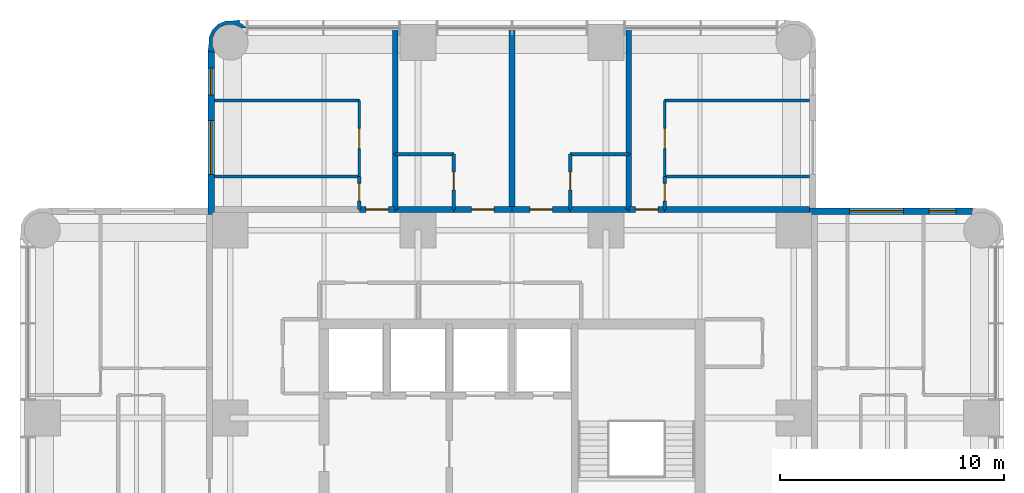
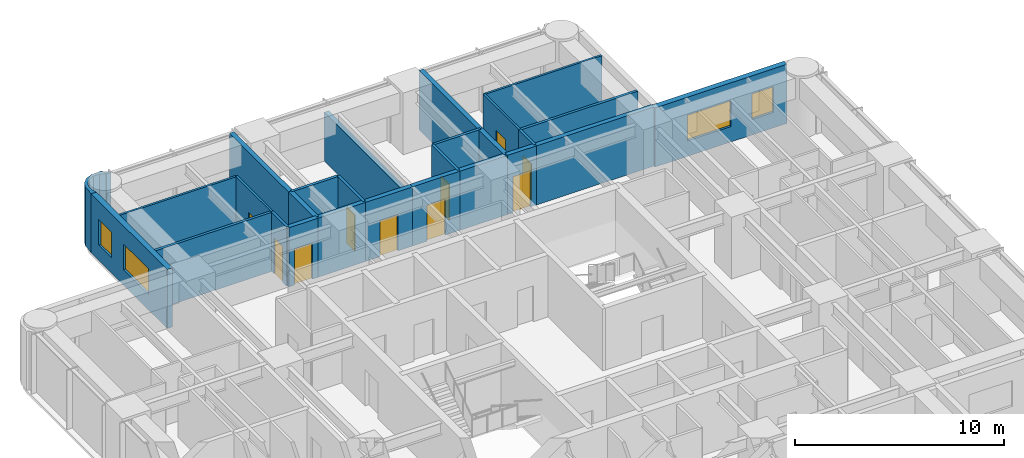
# One storey, part 8 of 10: 27 walls, 10 doors, 4 windows, 14 openings.
"""IFC4 building model written with IfcOpenShell, lengths in metres."""

from ifc_helpers import new_model, si_unit, direction, frame, frame_2d, origin, place, context, subcontext, project, spatial, polyline, rectangle, outline, extrude, material, layer, layer_set, type_object, element, fill, save


model = new_model("IFC4")

# Units and contexts
model_context = context("Model", 3, precision=1e-05, world=origin(), true_north=direction((0.0, 1.0)))
body_context = subcontext(model_context, "Body", "Model", "MODEL_VIEW")
ifc_project = project(units=[si_unit("LENGTHUNIT", "METRE"), si_unit("AREAUNIT", "SQUARE_METRE"), si_unit("VOLUMEUNIT", "CUBIC_METRE"), si_unit("PLANEANGLEUNIT", "RADIAN"), si_unit("MASSUNIT", "GRAM", prefix="KILO")], contexts=[model_context])

# Site, building, storey
site_placement = place(None, origin())
site = spatial("IfcSite", under=ifc_project, at=site_placement, CompositionType="ELEMENT")
building_placement = place(site_placement, origin())
building = spatial("IfcBuilding", under=site, at=building_placement, Name="Torre Alcanfor", CompositionType="ELEMENT")
storey_placement = place(building_placement, frame((0.0, 0.0, 257.699951171875)))
storey = spatial("IfcBuildingStorey", under=building, at=storey_placement, Name="L67", CompositionType="ELEMENT", Elevation=257.699951171875)

# Wall, opening, door
ifc_material_1 = material(Name="Concrete block masonry, hollow blocks NMX-C-404 9 MPa", Category="masonry")
ifc_layer_1 = layer(ifc_material_1, 0.25)
ifc_layer_set_1 = layer_set([ifc_layer_1], Name="Apartment entrance wall 250 EI 60")
wall_type_1 = type_object("IfcWallType", Name="Apartment entrance wall 250 EI 60", PredefinedType="PARTITIONING", material=ifc_layer_set_1)
wall_1_placement = place(storey_placement, frame((26.800048828125, 42.925048828125, 0.0), z_axis=(0.0, 0.0, 1.0), x_axis=(1.0, 0.0, 0.0)))
wall_1 = element("IfcWall", 1, at=wall_1_placement, inside=storey, type_object=wall_type_1, Name="Partition L67-CORR / L67-N1A-STUDIO", PredefinedType="PARTITIONING", context=body_context, shape_type="SweptSolid", body=[
    extrude(rectangle(XDim=2.599853515625, YDim=0.25, at=frame_2d((1.2998046875, 0.0))), origin(), (0.0, 0.0, 1.0), 3.449951171875),
])
opening_1_placement = place(wall_1_placement, frame((0.800048828125, 0.0, 0.0)))
opening_1 = element("IfcOpeningElement", 2, at=opening_1_placement, cuts=wall_1, Name="Opening D-A1", PredefinedType="OPENING", context=body_context, shape_type="SweptSolid", body=[
    extrude(rectangle(XDim=1.0, YDim=2.10009765625, at=frame_2d((0.5, 1.050048828125))), frame((0.0, 0.135009765625, 0.0), z_axis=(0.0, -1.0, 0.0), x_axis=(1.0, 0.0, 0.0)), (0.0, 0.0, 1.0), 0.27001953125),
])
ifc_material_2 = material(Name="Galvanised steel sheet ASTM A653", Category="steel")
door_type_1 = type_object("IfcDoorType", Name="Apartment entrance door FD60 1000x2100", OperationType="SINGLE_SWING_LEFT", PredefinedType="DOOR", material=ifc_material_2)
door_1_placement = place(opening_1_placement, origin())
door_1 = element("IfcDoor", 3, at=door_1_placement, inside=storey, type_object=door_type_1, Name="Apartment entrance L67-N1A", OperationType="SINGLE_SWING_LEFT", OverallHeight=2.10009765625, OverallWidth=1.0, PredefinedType="DOOR", context=body_context, shape_type="SweptSolid", body=[
    extrude(rectangle(XDim=1.0, YDim=2.10009765625, at=frame_2d((0.5, 1.050048828125))), frame((0.0, 0.02490234375, 0.0), z_axis=(0.0, -1.0, 0.0), x_axis=(1.0, 0.0, 0.0)), (0.0, 0.0, 1.0), 0.050048828125),
])
fill(opening_1, door_1)

# Wall
wall_2_placement = place(storey_placement, frame((24.1708984375, 42.925048828125, 0.0), z_axis=(0.0, 0.0, 1.0), x_axis=(1.0, 0.0, 0.0)))
element("IfcWall", 4, at=wall_2_placement, inside=storey, type_object=wall_type_1, Name="Partition L67-CORR / L67-N1A-BATH", PredefinedType="PARTITIONING", context=body_context, shape_type="SweptSolid", body=[
    extrude(rectangle(XDim=2.629150390625, YDim=0.25, at=frame_2d((1.314453125, 0.0))), origin(), (0.0, 0.0, 1.0), 3.449951171875),
])

# Wall, opening, door
wall_3_placement = place(storey_placement, frame((22.571044921875, 42.925048828125, 0.0), z_axis=(0.0, 0.0, 1.0), x_axis=(1.0, 0.0, 0.0)))
wall_3 = element("IfcWall", 5, at=wall_3_placement, inside=storey, type_object=wall_type_1, Name="Partition L67-CORR / L67-N1B-LIVING", PredefinedType="PARTITIONING", context=body_context, shape_type="SweptSolid", body=[
    extrude(rectangle(XDim=1.599853515625, YDim=0.25, at=frame_2d((0.7998046875, 0.0))), origin(), (0.0, 0.0, 1.0), 3.449951171875),
])
opening_2_placement = place(wall_3_placement, frame((0.300048828125, 0.0, 0.0)))
opening_2 = element("IfcOpeningElement", 6, at=opening_2_placement, cuts=wall_3, Name="Opening D-A1", PredefinedType="OPENING", context=body_context, shape_type="SweptSolid", body=[
    extrude(rectangle(XDim=1.0, YDim=2.10009765625, at=frame_2d((0.5, 1.050048828125))), frame((0.0, 0.135009765625, 0.0), z_axis=(0.0, -1.0, 0.0), x_axis=(1.0, 0.0, 0.0)), (0.0, 0.0, 1.0), 0.27001953125),
])
door_2_placement = place(opening_2_placement, origin())
door_2 = element("IfcDoor", 7, at=door_2_placement, inside=storey, type_object=door_type_1, Name="Apartment entrance L67-N1B", OperationType="SINGLE_SWING_LEFT", OverallHeight=2.10009765625, OverallWidth=1.0, PredefinedType="DOOR", context=body_context, shape_type="SweptSolid", body=[
    extrude(rectangle(XDim=1.0, YDim=2.10009765625, at=frame_2d((0.5, 1.050048828125))), frame((0.0, 0.02490234375, 0.0), z_axis=(0.0, -1.0, 0.0), x_axis=(1.0, 0.0, 0.0)), (0.0, 0.0, 1.0), 0.050048828125),
])
fill(opening_2, door_2)

wall_4_placement = place(storey_placement, frame((29.39990234375, 42.925048828125, 0.0), z_axis=(0.0, 0.0, 1.0), x_axis=(1.0, 0.0, 0.0)))
wall_4 = element("IfcWall", 8, at=wall_4_placement, inside=storey, type_object=wall_type_1, Name="Partition L67-CORR / L67-N2A-STUDIO", PredefinedType="PARTITIONING", context=body_context, shape_type="SweptSolid", body=[
    extrude(rectangle(XDim=2.60009765625, YDim=0.25, at=frame_2d((1.300048828125, 0.0))), origin(), (0.0, 0.0, 1.0), 3.449951171875),
])
opening_3_placement = place(wall_4_placement, frame((0.800048828125, 0.0, 0.0)))
opening_3 = element("IfcOpeningElement", 9, at=opening_3_placement, cuts=wall_4, Name="Opening D-A1", PredefinedType="OPENING", context=body_context, shape_type="SweptSolid", body=[
    extrude(rectangle(XDim=1.0, YDim=2.10009765625, at=frame_2d((0.5, 1.050048828125))), frame((0.0, 0.135009765625, 0.0), z_axis=(0.0, -1.0, 0.0), x_axis=(1.0, 0.0, 0.0)), (0.0, 0.0, 1.0), 0.27001953125),
])
door_3_placement = place(opening_3_placement, origin())
door_3 = element("IfcDoor", 10, at=door_3_placement, inside=storey, type_object=door_type_1, Name="Apartment entrance L67-N2A", OperationType="SINGLE_SWING_LEFT", OverallHeight=2.10009765625, OverallWidth=1.0, PredefinedType="DOOR", context=body_context, shape_type="SweptSolid", body=[
    extrude(rectangle(XDim=1.0, YDim=2.10009765625, at=frame_2d((0.5, 1.050048828125))), frame((0.0, 0.02490234375, 0.0), z_axis=(0.0, -1.0, 0.0), x_axis=(1.0, 0.0, 0.0)), (0.0, 0.0, 1.0), 0.050048828125),
])
fill(opening_3, door_3)

# Wall
wall_5_placement = place(storey_placement, frame((32.0, 42.925048828125, 0.0), z_axis=(0.0, 0.0, 1.0), x_axis=(1.0, 0.0, 0.0)))
element("IfcWall", 11, at=wall_5_placement, inside=storey, type_object=wall_type_1, Name="Partition L67-CORR / L67-N2A-BATH", PredefinedType="PARTITIONING", context=body_context, shape_type="SweptSolid", body=[
    extrude(rectangle(XDim=2.62890625, YDim=0.25, at=frame_2d((1.314453125, 0.0))), origin(), (0.0, 0.0, 1.0), 3.449951171875),
])

# Wall, opening, door
wall_6_placement = place(storey_placement, frame((34.62890625, 42.925048828125, 0.0), z_axis=(0.0, 0.0, 1.0), x_axis=(1.0, 0.0, 0.0)))
wall_6 = element("IfcWall", 12, at=wall_6_placement, inside=storey, type_object=wall_type_1, Name="Partition L67-CORR / L67-N2B-LIVING", PredefinedType="PARTITIONING", context=body_context, shape_type="SweptSolid", body=[
    extrude(rectangle(XDim=1.60009765625, YDim=0.25, at=frame_2d((0.800048828125, 0.0))), origin(), (0.0, 0.0, 1.0), 3.449951171875),
])
opening_4_placement = place(wall_6_placement, frame((0.300048828125, 0.0, 0.0)))
opening_4 = element("IfcOpeningElement", 13, at=opening_4_placement, cuts=wall_6, Name="Opening D-A1", PredefinedType="OPENING", context=body_context, shape_type="SweptSolid", body=[
    extrude(rectangle(XDim=1.0, YDim=2.10009765625, at=frame_2d((0.5, 1.050048828125))), frame((0.0, 0.135009765625, 0.0), z_axis=(0.0, -1.0, 0.0), x_axis=(1.0, 0.0, 0.0)), (0.0, 0.0, 1.0), 0.27001953125),
])
door_4_placement = place(opening_4_placement, origin())
door_4 = element("IfcDoor", 14, at=door_4_placement, inside=storey, type_object=door_type_1, Name="Apartment entrance L67-N2B", OperationType="SINGLE_SWING_LEFT", OverallHeight=2.10009765625, OverallWidth=1.0, PredefinedType="DOOR", context=body_context, shape_type="SweptSolid", body=[
    extrude(rectangle(XDim=1.0, YDim=2.10009765625, at=frame_2d((0.5, 1.050048828125))), frame((0.0, 0.02490234375, 0.0), z_axis=(0.0, -1.0, 0.0), x_axis=(1.0, 0.0, 0.0)), (0.0, 0.0, 1.0), 0.050048828125),
])
fill(opening_4, door_4)

# Wall
wall_7_placement = place(storey_placement, frame((36.22900390625, 42.925048828125, 0.0), z_axis=(0.0, 0.0, 1.0), x_axis=(1.0, 0.0, 0.0)))
element("IfcWall", 15, at=wall_7_placement, inside=storey, type_object=wall_type_1, Name="Partition L67-CORR / L67-N2B-BATH", PredefinedType="PARTITIONING", context=body_context, shape_type="SweptSolid", body=[
    extrude(rectangle(XDim=6.470947265625, YDim=0.25, at=frame_2d((3.2353515625, 0.0))), origin(), (0.0, 0.0, 1.0), 3.449951171875),
])

# Wall, opening, door
ifc_material_3 = material(Name="Gypsum board on steel studs", Category="steel")
ifc_layer_2 = layer(ifc_material_3, 0.1201171875)
ifc_layer_set_2 = layer_set([ifc_layer_2], Name="Apartment partition 120")
wall_type_2 = type_object("IfcWallType", Name="Apartment partition 120", PredefinedType="PARTITIONING", material=ifc_layer_set_2)
wall_8_placement = place(storey_placement, frame((22.571044921875, 44.39990234375, 0.0), z_axis=(0.0, 0.0, 1.0), x_axis=(0.0, 1.0, 0.0)))
wall_8 = element("IfcWall", 16, at=wall_8_placement, inside=storey, type_object=wall_type_2, Name="Partition L67-N1B-LIVING / L67-N1B-MASTER", PredefinedType="PARTITIONING", context=body_context, shape_type="SweptSolid", body=[
    extrude(rectangle(XDim=3.400146484375, YDim=0.1201171875, at=frame_2d((1.7001953125, 0.0))), origin(), (0.0, 0.0, 1.0), 3.449951171875),
])
opening_5_placement = place(wall_8_placement, frame((1.25, 0.0, 0.0)))
opening_5 = element("IfcOpeningElement", 17, at=opening_5_placement, cuts=wall_8, Name="Opening D-R1", PredefinedType="OPENING", context=body_context, shape_type="SweptSolid", body=[
    extrude(rectangle(XDim=0.89990234375, YDim=2.10009765625, at=frame_2d((0.449951171875, 1.050048828125))), frame((0.0, 0.070068359375, 0.0), z_axis=(0.0, -1.0, 0.0), x_axis=(1.0, 0.0, 0.0)), (0.0, 0.0, 1.0), 0.14013671875),
])
ifc_material_4 = material(Name="Timber", Category="wood")
door_type_2 = type_object("IfcDoorType", Name="Internal door 900x2100", OperationType="SINGLE_SWING_LEFT", PredefinedType="DOOR", material=ifc_material_4)
door_5_placement = place(opening_5_placement, origin())
door_5 = element("IfcDoor", 18, at=door_5_placement, inside=storey, type_object=door_type_2, Name="Door L67-N1B master", OperationType="SINGLE_SWING_LEFT", OverallHeight=2.10009765625, OverallWidth=0.89990234375, PredefinedType="DOOR", context=body_context, shape_type="SweptSolid", body=[
    extrude(rectangle(XDim=0.89990234375, YDim=2.10009765625, at=frame_2d((0.449951171875, 1.050048828125))), frame((0.0, 0.02490234375, 0.0), z_axis=(0.0, -1.0, 0.0), x_axis=(1.0, 0.0, 0.0)), (0.0, 0.0, 1.0), 0.050048828125),
])
fill(opening_5, door_5)

# Walls
for number, where, z_axis, x_axis, name in (
    (19, (22.571044921875, 47.800048828125, 0.0), (0.0, 0.0, 1.0), (-1.0, 0.0, 0.0), "Partition L67-N1B-LIVING / L67-N1B-MASTER"),
    (20, (42.699951171875, 47.800048828125, 0.0), (0.0, 0.0, 1.0), (-1.0, 0.0, 0.0), "Partition L67-N2B-LIVING / L67-N2B-MASTER"),
):
    element("IfcWall", number, at=place(storey_placement, frame(where, z_axis=z_axis, x_axis=x_axis)), inside=storey, type_object=wall_type_2, Name=name, PredefinedType="PARTITIONING", context=body_context, shape_type="SweptSolid", body=[
        extrude(rectangle(XDim=6.470947265625, YDim=0.1201171875, at=frame_2d((3.2353515625, 0.0))), origin(), (0.0, 0.0, 1.0), 3.449951171875),
    ])

# Wall, opening, door
wall_9_placement = place(storey_placement, frame((36.22900390625, 47.800048828125, 0.0), z_axis=(0.0, 0.0, 1.0), x_axis=(0.0, -1.0, 0.0)))
wall_9 = element("IfcWall", 21, at=wall_9_placement, inside=storey, type_object=wall_type_2, Name="Partition L67-N2B-LIVING / L67-N2B-MASTER", PredefinedType="PARTITIONING", context=body_context, shape_type="SweptSolid", body=[
    extrude(rectangle(XDim=3.400146484375, YDim=0.1201171875, at=frame_2d((1.7001953125, 0.0))), origin(), (0.0, 0.0, 1.0), 3.449951171875),
])
opening_6_placement = place(wall_9_placement, frame((1.25, 0.0, 0.0)))
opening_6 = element("IfcOpeningElement", 22, at=opening_6_placement, cuts=wall_9, Name="Opening D-R1", PredefinedType="OPENING", context=body_context, shape_type="SweptSolid", body=[
    extrude(rectangle(XDim=0.89990234375, YDim=2.10009765625, at=frame_2d((0.449951171875, 1.050048828125))), frame((0.0, 0.070068359375, 0.0), z_axis=(0.0, -1.0, 0.0), x_axis=(1.0, 0.0, 0.0)), (0.0, 0.0, 1.0), 0.14013671875),
])
door_6_placement = place(opening_6_placement, origin())
door_6 = element("IfcDoor", 23, at=door_6_placement, inside=storey, type_object=door_type_2, Name="Door L67-N2B master", OperationType="SINGLE_SWING_LEFT", OverallHeight=2.10009765625, OverallWidth=0.89990234375, PredefinedType="DOOR", context=body_context, shape_type="SweptSolid", body=[
    extrude(rectangle(XDim=0.89990234375, YDim=2.10009765625, at=frame_2d((0.449951171875, 1.050048828125))), frame((0.0, 0.02490234375, 0.0), z_axis=(0.0, -1.0, 0.0), x_axis=(1.0, 0.0, 0.0)), (0.0, 0.0, 1.0), 0.050048828125),
])
fill(opening_6, door_6)

# Wall, openings, windows
ifc_material_5 = material(Name="Limestone cladding", Category="masonry")
ifc_layer_3 = layer(ifc_material_5, 0.0400390625, Name="Facing")
ifc_material_6 = material(Name="Ventilated air cavity")
ifc_layer_4 = layer(ifc_material_6, 0.02001953125, ventilated=True, Name="Ventilated joint")
ifc_material_7 = material(Name="Mineral wool insulation", Category="insulation")
ifc_layer_5 = layer(ifc_material_7, 0.10009765625, Name="Insulation")
ifc_material_8 = material(Name="Concrete f'c 35 MPa", Category="concrete")
ifc_layer_6 = layer(ifc_material_8, 0.139892578125, Name="Backing")
ifc_layer_set_3 = layer_set([ifc_layer_3, ifc_layer_4, ifc_layer_5, ifc_layer_6], Name="External wall stone-clad 300")
wall_type_3 = type_object("IfcWallType", Name="External wall stone-clad 300", PredefinedType="SOLIDWALL", material=ifc_layer_set_3)
wall_10_placement = place(storey_placement, frame((50.0, 42.85009765625, 0.0), z_axis=(0.0, 0.0, 1.0), x_axis=(-1.0, 0.0, 0.0)))
wall_10 = element("IfcWall", 24, at=wall_10_placement, inside=storey, type_object=wall_type_3, Name="External wall L67 9", PredefinedType="SOLIDWALL", context=body_context, shape_type="SweptSolid", body=[
    extrude(rectangle(XDim=7.300048828125, YDim=0.300048828125, at=frame_2d((3.64990234375, 0.0))), origin(), (0.0, 0.0, 1.0), 3.449951171875),
])
opening_7_placement = place(wall_10_placement, frame((3.10009765625, 0.0, 0.89990234375)))
opening_7 = element("IfcOpeningElement", 25, at=opening_7_placement, cuts=wall_10, Name="Opening W1", PredefinedType="OPENING", context=body_context, shape_type="SweptSolid", body=[
    extrude(rectangle(XDim=2.39990234375, YDim=1.5, at=frame_2d((1.199951171875, 0.75))), frame((0.0, 0.159912109375, 0.0), z_axis=(0.0, -1.0, 0.0), x_axis=(1.0, 0.0, 0.0)), (0.0, 0.0, 1.0), 0.320068359375),
])
opening_8_placement = place(wall_10_placement, frame((0.75, 0.0, 0.89990234375)))
opening_8 = element("IfcOpeningElement", 26, at=opening_8_placement, cuts=wall_10, Name="Opening W4", PredefinedType="OPENING", context=body_context, shape_type="SweptSolid", body=[
    extrude(rectangle(XDim=1.199951171875, YDim=1.5, at=frame_2d((0.60009765625, 0.75))), frame((0.0, 0.159912109375, 0.0), z_axis=(0.0, -1.0, 0.0), x_axis=(1.0, 0.0, 0.0)), (0.0, 0.0, 1.0), 0.320068359375),
])
ifc_material_9 = material(Name="Aluminium frame with clear double glazing", Category="aluminium")
window_type_1 = type_object("IfcWindowType", Name="Window bedroom 1200x1500", PartitioningType="SINGLE_PANEL", PredefinedType="WINDOW", material=ifc_material_9)
window_1_placement = place(opening_8_placement, origin())
window_1 = element("IfcWindow", 27, at=window_1_placement, inside=storey, type_object=window_type_1, Name="Window W4 L67-E1", OverallHeight=1.5, OverallWidth=1.199951171875, PartitioningType="SINGLE_PANEL", PredefinedType="WINDOW", context=body_context, shape_type="SweptSolid", body=[
    extrude(rectangle(XDim=1.199951171875, YDim=1.5, at=frame_2d((0.60009765625, 0.75))), frame((0.0, 0.030029296875, 0.0), z_axis=(0.0, -1.0, 0.0), x_axis=(1.0, 0.0, 0.0)), (0.0, 0.0, 1.0), 0.06005859375),
])
fill(opening_8, window_1)
ifc_material_10 = material(Name="Aluminium frame with clear double glazing", Category="aluminium")
window_type_2 = type_object("IfcWindowType", Name="Window bedroom 2400x1500", PartitioningType="SINGLE_PANEL", PredefinedType="WINDOW", material=ifc_material_10)
window_2_placement = place(opening_7_placement, origin())
window_2 = element("IfcWindow", 28, at=window_2_placement, inside=storey, type_object=window_type_2, Name="Window W1 L67-E1", OverallHeight=1.5, OverallWidth=2.39990234375, PartitioningType="SINGLE_PANEL", PredefinedType="WINDOW", context=body_context, shape_type="SweptSolid", body=[
    extrude(rectangle(XDim=2.39990234375, YDim=1.5, at=frame_2d((1.199951171875, 0.75))), frame((0.0, 0.030029296875, 0.0), z_axis=(0.0, -1.0, 0.0), x_axis=(1.0, 0.0, 0.0)), (0.0, 0.0, 1.0), 0.06005859375),
])
fill(opening_7, window_2)

wall_11_placement = place(storey_placement, frame((15.949951171875, 50.0, 0.0), z_axis=(0.0, 0.0, 1.0), x_axis=(0.0, -1.0, 0.0)))
wall_11 = element("IfcWall", 29, at=wall_11_placement, inside=storey, type_object=wall_type_3, Name="External wall L67 12", PredefinedType="SOLIDWALL", context=body_context, shape_type="SweptSolid", body=[
    extrude(rectangle(XDim=7.300048828125, YDim=0.300048828125, at=frame_2d((3.64990234375, 0.0))), origin(), (0.0, 0.0, 1.0), 3.449951171875),
])
opening_9_placement = place(wall_11_placement, frame((3.10009765625, 0.0, 0.89990234375)))
opening_9 = element("IfcOpeningElement", 30, at=opening_9_placement, cuts=wall_11, Name="Opening W1", PredefinedType="OPENING", context=body_context, shape_type="SweptSolid", body=[
    extrude(rectangle(XDim=2.39990234375, YDim=1.5, at=frame_2d((1.199951171875, 0.75))), frame((0.0, 0.159912109375, 0.0), z_axis=(0.0, -1.0, 0.0), x_axis=(1.0, 0.0, 0.0)), (0.0, 0.0, 1.0), 0.320068359375),
])
opening_10_placement = place(wall_11_placement, frame((0.75, 0.0, 0.89990234375)))
opening_10 = element("IfcOpeningElement", 31, at=opening_10_placement, cuts=wall_11, Name="Opening W4", PredefinedType="OPENING", context=body_context, shape_type="SweptSolid", body=[
    extrude(rectangle(XDim=1.199951171875, YDim=1.5, at=frame_2d((0.60009765625, 0.75))), frame((0.0, 0.159912109375, 0.0), z_axis=(0.0, -1.0, 0.0), x_axis=(1.0, 0.0, 0.0)), (0.0, 0.0, 1.0), 0.320068359375),
])
window_3_placement = place(opening_10_placement, origin())
window_3 = element("IfcWindow", 32, at=window_3_placement, inside=storey, type_object=window_type_1, Name="Window W4 L67-N1", OverallHeight=1.5, OverallWidth=1.199951171875, PartitioningType="SINGLE_PANEL", PredefinedType="WINDOW", context=body_context, shape_type="SweptSolid", body=[
    extrude(rectangle(XDim=1.199951171875, YDim=1.5, at=frame_2d((0.60009765625, 0.75))), frame((0.0, 0.030029296875, 0.0), z_axis=(0.0, -1.0, 0.0), x_axis=(1.0, 0.0, 0.0)), (0.0, 0.0, 1.0), 0.06005859375),
])
fill(opening_10, window_3)
window_4_placement = place(opening_9_placement, origin())
window_4 = element("IfcWindow", 33, at=window_4_placement, inside=storey, type_object=window_type_2, Name="Window W1 L67-N1", OverallHeight=1.5, OverallWidth=2.39990234375, PartitioningType="SINGLE_PANEL", PredefinedType="WINDOW", context=body_context, shape_type="SweptSolid", body=[
    extrude(rectangle(XDim=2.39990234375, YDim=1.5, at=frame_2d((1.199951171875, 0.75))), frame((0.0, 0.030029296875, 0.0), z_axis=(0.0, -1.0, 0.0), x_axis=(1.0, 0.0, 0.0)), (0.0, 0.0, 1.0), 0.06005859375),
])
fill(opening_9, window_4)

# Walls
ifc_material_11 = material(Name="Concrete block masonry, hollow blocks NMX-C-404 9 MPa", Category="masonry")
ifc_layer_7 = layer(ifc_material_11, 0.25)
ifc_layer_set_4 = layer_set([ifc_layer_7], Name="Party wall 250 EI 60")
wall_type_4 = type_object("IfcWallType", Name="Party wall 250 EI 60", PredefinedType="PARTITIONING", material=ifc_layer_set_4)
wall_12_placement = place(storey_placement, frame((24.1708984375, 45.39990234375, 0.0), z_axis=(0.0, 0.0, 1.0), x_axis=(0.0, 1.0, 0.0)))
element("IfcWall", 34, at=wall_12_placement, inside=storey, type_object=wall_type_4, Name="Partition L67-N1A-STUDIO / L67-N1B-LIVING", PredefinedType="PARTITIONING", context=body_context, shape_type="SweptSolid", body=[
    extrude(rectangle(XDim=5.650146484375, YDim=0.25, at=frame_2d((2.8251953125, 0.0))), origin(), (0.0, 0.0, 1.0), 3.449951171875),
])
wall_13_placement = place(storey_placement, frame((29.39990234375, 51.050048828125, 0.0), z_axis=(0.0, 0.0, 1.0), x_axis=(0.0, -1.0, 0.0)))
element("IfcWall", 35, at=wall_13_placement, inside=storey, type_object=wall_type_4, Name="Partition L67-N1A-STUDIO / L67-N2A-STUDIO", PredefinedType="PARTITIONING", context=body_context, shape_type="SweptSolid", body=[
    extrude(rectangle(XDim=8.125, YDim=0.25, at=frame_2d((4.0625, 0.0))), origin(), (0.0, 0.0, 1.0), 2.84814453125),
])
wall_14_placement = place(storey_placement, frame((24.1708984375, 45.39990234375, 0.0), z_axis=(0.0, 0.0, 1.0), x_axis=(0.0, -1.0, 0.0)))
element("IfcWall", 36, at=wall_14_placement, inside=storey, type_object=wall_type_4, Name="Partition L67-N1A-BATH / L67-N1B-LIVING", PredefinedType="PARTITIONING", context=body_context, shape_type="SweptSolid", body=[
    extrude(rectangle(XDim=2.474853515625, YDim=0.25, at=frame_2d((1.2373046875, 0.0))), origin(), (0.0, 0.0, 1.0), 3.449951171875),
])
wall_15_placement = place(storey_placement, frame((34.62890625, 51.050048828125, 0.0), z_axis=(0.0, 0.0, 1.0), x_axis=(0.0, -1.0, 0.0)))
element("IfcWall", 37, at=wall_15_placement, inside=storey, type_object=wall_type_4, Name="Partition L67-N2A-STUDIO / L67-N2B-LIVING", PredefinedType="PARTITIONING", context=body_context, shape_type="SweptSolid", body=[
    extrude(rectangle(XDim=5.650146484375, YDim=0.25, at=frame_2d((2.8251953125, 0.0))), origin(), (0.0, 0.0, 1.0), 3.449951171875),
])
wall_16_placement = place(storey_placement, frame((34.62890625, 45.39990234375, 0.0), z_axis=(0.0, 0.0, 1.0), x_axis=(0.0, -1.0, 0.0)))
element("IfcWall", 38, at=wall_16_placement, inside=storey, type_object=wall_type_4, Name="Partition L67-N2A-BATH / L67-N2B-LIVING", PredefinedType="PARTITIONING", context=body_context, shape_type="SweptSolid", body=[
    extrude(rectangle(XDim=2.474853515625, YDim=0.25, at=frame_2d((1.2373046875, 0.0))), origin(), (0.0, 0.0, 1.0), 3.449951171875),
])
ifc_layer_8 = layer(ifc_material_5, 0.0400390625, Name="Facing")
ifc_layer_9 = layer(ifc_material_6, 0.02001953125, ventilated=True, Name="Ventilated joint")
ifc_layer_10 = layer(ifc_material_7, 0.10009765625, Name="Insulation")
ifc_layer_11 = layer(ifc_material_8, 0.139892578125, Name="Backing")
ifc_layer_set_5 = layer_set([ifc_layer_8, ifc_layer_9, ifc_layer_10, ifc_layer_11], Name="Rounded corner pier stone-clad 300")
wall_type_5 = type_object("IfcWallType", Name="Rounded corner pier stone-clad 300", PredefinedType="SOLIDWALL", material=ifc_layer_set_5)
wall_17_placement = place(storey_placement, frame((17.448071802, 50.995317512, 0.0), z_axis=(0.0, 0.0, 1.0), x_axis=(-0.343276641956, 0.93923434088, 0.0)))
element("IfcWall", 39, at=wall_17_placement, inside=storey, type_object=wall_type_5, Name="Corner pier L67 20", PredefinedType="SOLIDWALL", context=body_context, shape_type="SweptSolid", body=[
    extrude(outline(polyline([(0.24108059829103723, 0.022959620234629247), (0.3334805428319213, 0.12357557552177408), (0.4651739844878831, 0.09415889406460926), (0.5320540980205655, 0.3930753034134802), (0.6306958479185591, 0.6629675932609465), (0.6144442310825087, 1.0445145490965344), (0.4535240125743382, 1.3908175635047577), (0.17229496211504458, 1.6490443416962495), (-0.0975973277324218, 1.7476860915942432), (-0.36910859501107685, 1.8895490248211664), (-0.5092558011112671, 1.6213097208797382), (-0.4906820751319597, 1.6145212911926206), (-0.47934485608116756, 1.6085581501360122), (-0.21131694537408713, 1.6200307736528514), (0.0879264176258649, 1.5106616286937335), (0.32264848080083985, 1.2951661291093102), (0.4569426595377669, 1.0061627997252323), (0.4702938084391308, 0.6878005781830546), (0.3609246634800129, 0.3885572151831026), (0.1454291638955897, 0.15383515200812764), (0.10816871297824923, 0.136520951282565), (0.030981753202503952, -0.0746691922599299), (0.24108059829103723, 0.022959620234629247)])), origin(), (0.0, 0.0, 1.0), 3.449951171875),
])

# Wall, opening, door
ifc_material_12 = material(Name="Cement board on steel studs", Category="steel")
ifc_layer_12 = layer(ifc_material_12, 0.14990234375)
ifc_layer_set_6 = layer_set([ifc_layer_12], Name="Wet area partition 150")
wall_type_6 = type_object("IfcWallType", Name="Wet area partition 150", PredefinedType="PARTITIONING", material=ifc_layer_set_6)
wall_18_placement = place(storey_placement, frame((26.800048828125, 42.925048828125, 0.0), z_axis=(0.0, 0.0, 1.0), x_axis=(0.0, 1.0, 0.0)))
wall_18 = element("IfcWall", 40, at=wall_18_placement, inside=storey, type_object=wall_type_6, Name="Partition L67-N1A-STUDIO / L67-N1A-BATH", PredefinedType="PARTITIONING", context=body_context, shape_type="SweptSolid", body=[
    extrude(rectangle(XDim=2.474853515625, YDim=0.14990234375, at=frame_2d((1.2373046875, 0.0))), origin(), (0.0, 0.0, 1.0), 3.449951171875),
])
opening_11_placement = place(wall_18_placement, frame((0.875, 0.0, 0.0)))
opening_11 = element("IfcOpeningElement", 41, at=opening_11_placement, cuts=wall_18, Name="Opening D-R2", PredefinedType="OPENING", context=body_context, shape_type="SweptSolid", body=[
    extrude(rectangle(XDim=0.800048828125, YDim=2.10009765625, at=frame_2d((0.39990234375, 1.050048828125))), frame((0.0, 0.0849609375, 0.0), z_axis=(0.0, -1.0, 0.0), x_axis=(1.0, 0.0, 0.0)), (0.0, 0.0, 1.0), 0.169921875),
])
ifc_material_13 = material(Name="Timber", Category="wood")
door_type_3 = type_object("IfcDoorType", Name="Bathroom door 800x2100", OperationType="SINGLE_SWING_LEFT", PredefinedType="DOOR", material=ifc_material_13)
door_7_placement = place(opening_11_placement, origin())
door_7 = element("IfcDoor", 42, at=door_7_placement, inside=storey, type_object=door_type_3, Name="Door L67-N1A bath", OperationType="SINGLE_SWING_RIGHT", OverallHeight=2.10009765625, OverallWidth=0.800048828125, PredefinedType="DOOR", context=body_context, shape_type="SweptSolid", body=[
    extrude(rectangle(XDim=0.800048828125, YDim=2.10009765625, at=frame_2d((0.39990234375, 1.050048828125))), frame((0.0, 0.02490234375, 0.0), z_axis=(0.0, -1.0, 0.0), x_axis=(1.0, 0.0, 0.0)), (0.0, 0.0, 1.0), 0.050048828125),
])
fill(opening_11, door_7)

# Wall
wall_19_placement = place(storey_placement, frame((26.800048828125, 45.39990234375, 0.0), z_axis=(0.0, 0.0, 1.0), x_axis=(-1.0, 0.0, 0.0)))
element("IfcWall", 43, at=wall_19_placement, inside=storey, type_object=wall_type_6, Name="Partition L67-N1A-STUDIO / L67-N1A-BATH", PredefinedType="PARTITIONING", context=body_context, shape_type="SweptSolid", body=[
    extrude(rectangle(XDim=2.629150390625, YDim=0.14990234375, at=frame_2d((1.314453125, 0.0))), origin(), (0.0, 0.0, 1.0), 3.449951171875),
])

# Wall, opening, door
wall_20_placement = place(storey_placement, frame((22.571044921875, 42.925048828125, 0.0), z_axis=(0.0, 0.0, 1.0), x_axis=(0.0, 1.0, 0.0)))
wall_20 = element("IfcWall", 44, at=wall_20_placement, inside=storey, type_object=wall_type_6, Name="Partition L67-N1B-LIVING / L67-N1B-BATH", PredefinedType="PARTITIONING", context=body_context, shape_type="SweptSolid", body=[
    extrude(rectangle(XDim=1.474853515625, YDim=0.14990234375, at=frame_2d((0.7373046875, 0.0))), origin(), (0.0, 0.0, 1.0), 3.449951171875),
])
opening_12_placement = place(wall_20_placement, frame((0.375, 0.0, 0.0)))
opening_12 = element("IfcOpeningElement", 45, at=opening_12_placement, cuts=wall_20, Name="Opening D-R2", PredefinedType="OPENING", context=body_context, shape_type="SweptSolid", body=[
    extrude(rectangle(XDim=0.800048828125, YDim=2.10009765625, at=frame_2d((0.39990234375, 1.050048828125))), frame((0.0, 0.0849609375, 0.0), z_axis=(0.0, -1.0, 0.0), x_axis=(1.0, 0.0, 0.0)), (0.0, 0.0, 1.0), 0.169921875),
])
door_8_placement = place(opening_12_placement, origin())
door_8 = element("IfcDoor", 46, at=door_8_placement, inside=storey, type_object=door_type_3, Name="Door L67-N1B bath", OperationType="SINGLE_SWING_RIGHT", OverallHeight=2.10009765625, OverallWidth=0.800048828125, PredefinedType="DOOR", context=body_context, shape_type="SweptSolid", body=[
    extrude(rectangle(XDim=0.800048828125, YDim=2.10009765625, at=frame_2d((0.39990234375, 1.050048828125))), frame((0.0, 0.02490234375, 0.0), z_axis=(0.0, -1.0, 0.0), x_axis=(1.0, 0.0, 0.0)), (0.0, 0.0, 1.0), 0.050048828125),
])
fill(opening_12, door_8)

# Walls
wall_21_placement = place(storey_placement, frame((22.571044921875, 44.39990234375, 0.0), z_axis=(0.0, 0.0, 1.0), x_axis=(-1.0, 0.0, 0.0)))
element("IfcWall", 47, at=wall_21_placement, inside=storey, type_object=wall_type_6, Name="Partition L67-N1B-BATH / L67-N1B-MASTER", PredefinedType="PARTITIONING", context=body_context, shape_type="SweptSolid", body=[
    extrude(rectangle(XDim=6.470947265625, YDim=0.14990234375, at=frame_2d((3.2353515625, 0.0))), origin(), (0.0, 0.0, 1.0), 3.449951171875),
])
wall_22_placement = place(storey_placement, frame((34.62890625, 45.39990234375, 0.0), z_axis=(0.0, 0.0, 1.0), x_axis=(-1.0, 0.0, 0.0)))
element("IfcWall", 48, at=wall_22_placement, inside=storey, type_object=wall_type_6, Name="Partition L67-N2A-STUDIO / L67-N2A-BATH", PredefinedType="PARTITIONING", context=body_context, shape_type="SweptSolid", body=[
    extrude(rectangle(XDim=2.62890625, YDim=0.14990234375, at=frame_2d((1.314453125, 0.0))), origin(), (0.0, 0.0, 1.0), 3.449951171875),
])

# Wall, opening, door
wall_23_placement = place(storey_placement, frame((32.0, 45.39990234375, 0.0), z_axis=(0.0, 0.0, 1.0), x_axis=(0.0, -1.0, 0.0)))
wall_23 = element("IfcWall", 49, at=wall_23_placement, inside=storey, type_object=wall_type_6, Name="Partition L67-N2A-STUDIO / L67-N2A-BATH", PredefinedType="PARTITIONING", context=body_context, shape_type="SweptSolid", body=[
    extrude(rectangle(XDim=2.474853515625, YDim=0.14990234375, at=frame_2d((1.2373046875, 0.0))), origin(), (0.0, 0.0, 1.0), 3.449951171875),
])
opening_13_placement = place(wall_23_placement, frame((0.800048828125, 0.0, 0.0)))
opening_13 = element("IfcOpeningElement", 50, at=opening_13_placement, cuts=wall_23, Name="Opening D-R2", PredefinedType="OPENING", context=body_context, shape_type="SweptSolid", body=[
    extrude(rectangle(XDim=0.800048828125, YDim=2.10009765625, at=frame_2d((0.39990234375, 1.050048828125))), frame((0.0, 0.0849609375, 0.0), z_axis=(0.0, -1.0, 0.0), x_axis=(1.0, 0.0, 0.0)), (0.0, 0.0, 1.0), 0.169921875),
])
door_9_placement = place(opening_13_placement, origin())
door_9 = element("IfcDoor", 51, at=door_9_placement, inside=storey, type_object=door_type_3, Name="Door L67-N2A bath", OperationType="SINGLE_SWING_LEFT", OverallHeight=2.10009765625, OverallWidth=0.800048828125, PredefinedType="DOOR", context=body_context, shape_type="SweptSolid", body=[
    extrude(rectangle(XDim=0.800048828125, YDim=2.10009765625, at=frame_2d((0.39990234375, 1.050048828125))), frame((0.0, 0.02490234375, 0.0), z_axis=(0.0, -1.0, 0.0), x_axis=(1.0, 0.0, 0.0)), (0.0, 0.0, 1.0), 0.050048828125),
])
fill(opening_13, door_9)

wall_24_placement = place(storey_placement, frame((36.22900390625, 44.39990234375, 0.0), z_axis=(0.0, 0.0, 1.0), x_axis=(0.0, -1.0, 0.0)))
wall_24 = element("IfcWall", 52, at=wall_24_placement, inside=storey, type_object=wall_type_6, Name="Partition L67-N2B-LIVING / L67-N2B-BATH", PredefinedType="PARTITIONING", context=body_context, shape_type="SweptSolid", body=[
    extrude(rectangle(XDim=1.474853515625, YDim=0.14990234375, at=frame_2d((0.7373046875, 0.0))), origin(), (0.0, 0.0, 1.0), 3.449951171875),
])
opening_14_placement = place(wall_24_placement, frame((0.300048828125, 0.0, 0.0)))
opening_14 = element("IfcOpeningElement", 53, at=opening_14_placement, cuts=wall_24, Name="Opening D-R2", PredefinedType="OPENING", context=body_context, shape_type="SweptSolid", body=[
    extrude(rectangle(XDim=0.800048828125, YDim=2.10009765625, at=frame_2d((0.39990234375, 1.050048828125))), frame((0.0, 0.0849609375, 0.0), z_axis=(0.0, -1.0, 0.0), x_axis=(1.0, 0.0, 0.0)), (0.0, 0.0, 1.0), 0.169921875),
])
door_10_placement = place(opening_14_placement, origin())
door_10 = element("IfcDoor", 54, at=door_10_placement, inside=storey, type_object=door_type_3, Name="Door L67-N2B bath", OperationType="SINGLE_SWING_LEFT", OverallHeight=2.10009765625, OverallWidth=0.800048828125, PredefinedType="DOOR", context=body_context, shape_type="SweptSolid", body=[
    extrude(rectangle(XDim=0.800048828125, YDim=2.10009765625, at=frame_2d((0.39990234375, 1.050048828125))), frame((0.0, 0.02490234375, 0.0), z_axis=(0.0, -1.0, 0.0), x_axis=(1.0, 0.0, 0.0)), (0.0, 0.0, 1.0), 0.050048828125),
])
fill(opening_14, door_10)

# Wall
wall_25_placement = place(storey_placement, frame((36.22900390625, 44.39990234375, 0.0), z_axis=(0.0, 0.0, 1.0), x_axis=(1.0, 0.0, 0.0)))
element("IfcWall", 55, at=wall_25_placement, inside=storey, type_object=wall_type_6, Name="Partition L67-N2B-BATH / L67-N2B-MASTER", PredefinedType="PARTITIONING", context=body_context, shape_type="SweptSolid", body=[
    extrude(rectangle(XDim=6.470947265625, YDim=0.14990234375, at=frame_2d((3.2353515625, 0.0))), origin(), (0.0, 0.0, 1.0), 3.449951171875),
])

save(model, "model.ifc")
